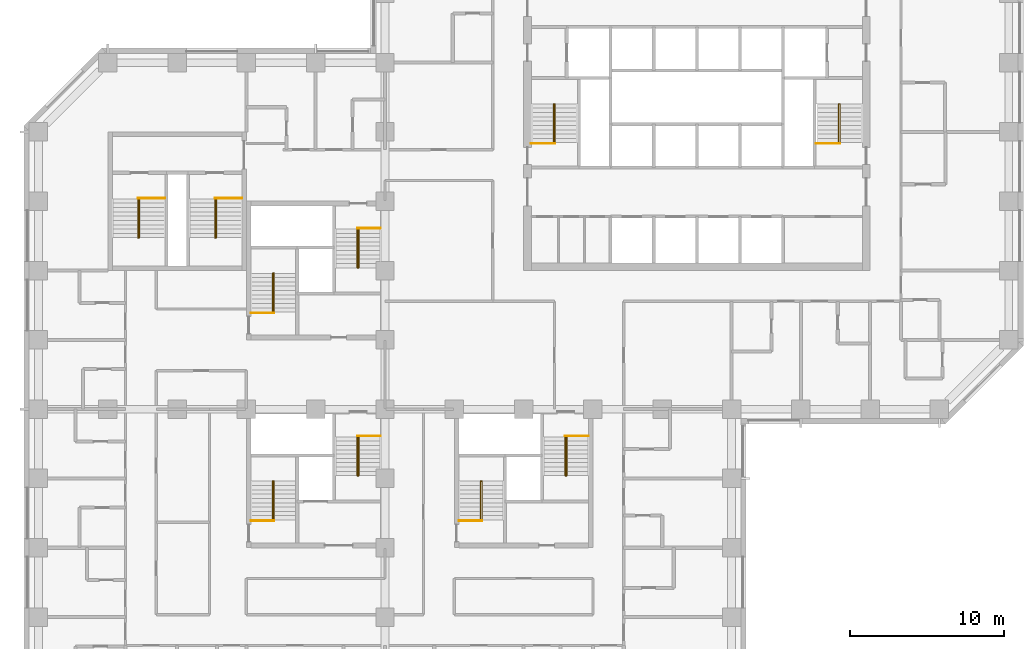
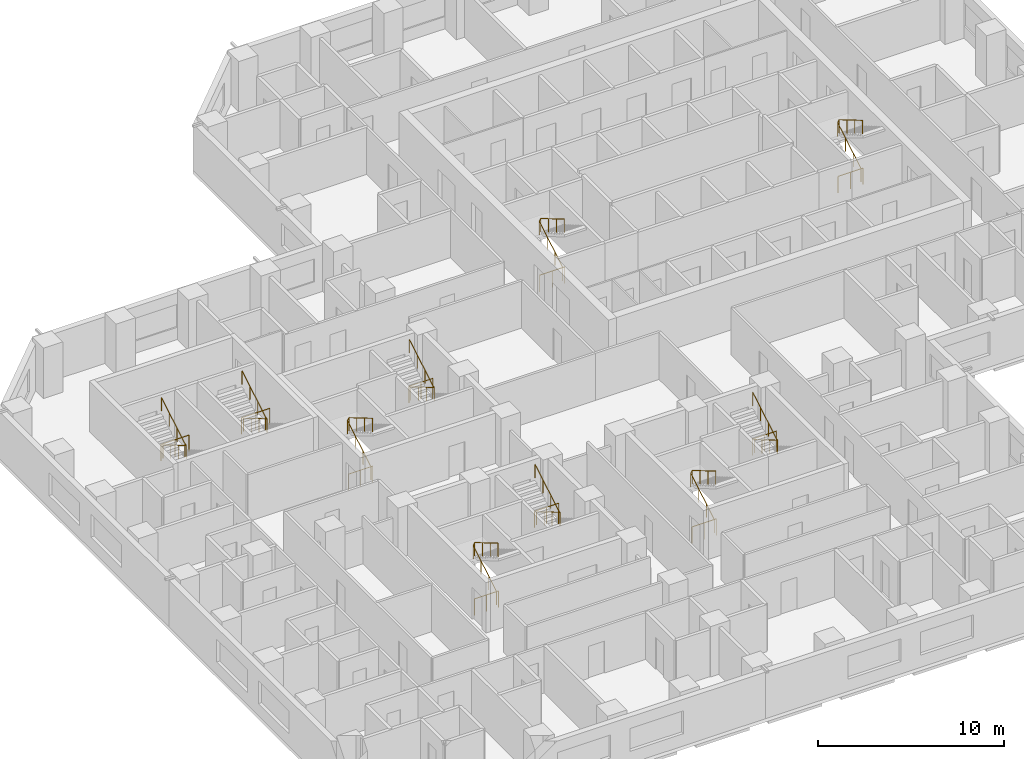
# One storey, part 13 of 13: 20 railings.
"""IFC4 building model written with IfcOpenShell, lengths in metres."""

from ifc_helpers import new_model, si_unit, direction, frame, origin, origin_2d, place, context, subcontext, project, spatial, circle, extrude, material, type_object, element, save


model = new_model("IFC4")

# Units and contexts
model_context = context("Model", 3, precision=1e-05, world=origin(), true_north=direction((0.0, 1.0)))
body_context = subcontext(model_context, "Body", "Model", "MODEL_VIEW")
ifc_project = project(units=[si_unit("LENGTHUNIT", "METRE"), si_unit("AREAUNIT", "SQUARE_METRE"), si_unit("VOLUMEUNIT", "CUBIC_METRE"), si_unit("PLANEANGLEUNIT", "RADIAN"), si_unit("MASSUNIT", "GRAM", prefix="KILO")], contexts=[model_context])

# Site, building, storey
site_placement = place(None, origin())
site = spatial("IfcSite", under=ifc_project, at=site_placement, CompositionType="ELEMENT")
building_placement = place(site_placement, origin())
building = spatial("IfcBuilding", under=site, at=building_placement, Name="Quoin Convention Tower", CompositionType="ELEMENT")
storey_placement = place(building_placement, frame((0.0, 0.0, 36.300048828125)))
storey = spatial("IfcBuildingStorey", under=building, at=storey_placement, Name="L08", CompositionType="ELEMENT", Elevation=36.300048828125)

# Railings
ifc_material = material(Name="Stainless steel", Category="steel")
railing_type_1 = type_object("IfcRailingType", Name="Stair handrail 900", PredefinedType="HANDRAIL", material=ifc_material)
for number, where, name in (
    (1, (46.955078125, 57.800048828125, 0.1650390625), "SD1 handrail 1"),
    (2, (65.455078125, 57.800048828125, 0.1650390625), "SD2 handrail 1"),
    (3, (28.705078125, 46.800048828125, 0.1650390625), "SD3 handrail 1"),
):
    element("IfcRailing", number, at=place(storey_placement, frame(where)), inside=storey, type_object=railing_type_1, Name=name, PredefinedType="HANDRAIL", context=body_context, shape_type="SweptSolid", body=[
        extrude(circle(Radius=0.02392578125, at=origin_2d()), frame((0.0, 0.0, 0.8759765625), z_axis=(0.0, 0.861560626758, 0.507654692109), x_axis=(-1.0, 0.0, 0.0)), (0.0, 0.0, 1.0), 2.925048828125),
        extrude(circle(Radius=0.02392578125, at=origin_2d()), frame((0.0, 2.52001953125, 2.36083984375), z_axis=(0.478123724308, 0.0, 0.878292493566), x_axis=(0.0, 1.0, 0.0)), (0.0, 0.0, 1.0), 0.18798828125),
        extrude(circle(Radius=0.02392578125, at=origin_2d()), frame((0.08984375, 2.52001953125, 2.52587890625), z_axis=(0.0, -0.86152411907, 0.507716645641), x_axis=(1.0, 0.0, 0.0)), (0.0, 0.0, 1.0), 2.925048828125),
        extrude(circle(Radius=0.02099609375, at=origin_2d()), origin(), (0.0, 0.0, 1.0), 0.851806640625),
        extrude(circle(Radius=0.02099609375, at=origin_2d()), frame((0.0, 0.840087890625, 0.494873046875)), (0.0, 0.0, 1.0), 0.851806640625),
        extrude(circle(Radius=0.02099609375, at=origin_2d()), frame((0.0, 1.679931640625, 0.989990234375)), (0.0, 0.0, 1.0), 0.851806640625),
        extrude(circle(Radius=0.02099609375, at=origin_2d()), frame((0.0, 2.52001953125, 1.48486328125)), (0.0, 0.0, 1.0), 0.851806640625),
        extrude(circle(Radius=0.02099609375, at=origin_2d()), frame((0.08984375, 2.52001953125, 1.64990234375)), (0.0, 0.0, 1.0), 0.851806640625),
        extrude(circle(Radius=0.02099609375, at=origin_2d()), frame((0.08984375, 1.679931640625, 2.14501953125)), (0.0, 0.0, 1.0), 0.851806640625),
        extrude(circle(Radius=0.02099609375, at=origin_2d()), frame((0.08984375, 0.840087890625, 2.639892578125)), (0.0, 0.0, 1.0), 0.851806640625),
        extrude(circle(Radius=0.02099609375, at=origin_2d()), frame((0.08984375, 0.0, 3.135009765625)), (0.0, 0.0, 1.0), 0.851806640625),
    ])
railing_1_placement = place(storey_placement, frame((34.294921875, 52.199951171875, 0.1650390625)))
element("IfcRailing", 4, at=railing_1_placement, inside=storey, type_object=railing_type_1, Name="SD4 handrail 1", PredefinedType="HANDRAIL", context=body_context, shape_type="SweptSolid", body=[
    extrude(circle(Radius=0.02392578125, at=origin_2d()), frame((0.0, 0.0, 0.8759765625), z_axis=(0.0, -0.861560626758, 0.507654692109), x_axis=(1.0, 0.0, 0.0)), (0.0, 0.0, 1.0), 2.925048828125),
    extrude(circle(Radius=0.02392578125, at=origin_2d()), frame((0.0, -2.52001953125, 2.36083984375), z_axis=(-0.478123724308, 0.0, 0.878292493566), x_axis=(0.0, -1.0, 0.0)), (0.0, 0.0, 1.0), 0.18798828125),
    extrude(circle(Radius=0.02392578125, at=origin_2d()), frame((-0.08984375, -2.52001953125, 2.52587890625), z_axis=(0.0, 0.86152411907, 0.507716645641), x_axis=(-1.0, 0.0, 0.0)), (0.0, 0.0, 1.0), 2.925048828125),
    extrude(circle(Radius=0.02099609375, at=origin_2d()), origin(), (0.0, 0.0, 1.0), 0.851806640625),
    extrude(circle(Radius=0.02099609375, at=origin_2d()), frame((0.0, -0.840087890625, 0.494873046875)), (0.0, 0.0, 1.0), 0.851806640625),
    extrude(circle(Radius=0.02099609375, at=origin_2d()), frame((0.0, -1.679931640625, 0.989990234375)), (0.0, 0.0, 1.0), 0.851806640625),
    extrude(circle(Radius=0.02099609375, at=origin_2d()), frame((0.0, -2.52001953125, 1.48486328125)), (0.0, 0.0, 1.0), 0.851806640625),
    extrude(circle(Radius=0.02099609375, at=origin_2d()), frame((-0.08984375, -2.52001953125, 1.64990234375)), (0.0, 0.0, 1.0), 0.851806640625),
    extrude(circle(Radius=0.02099609375, at=origin_2d()), frame((-0.08984375, -1.679931640625, 2.14501953125)), (0.0, 0.0, 1.0), 0.851806640625),
    extrude(circle(Radius=0.02099609375, at=origin_2d()), frame((-0.08984375, -0.840087890625, 2.639892578125)), (0.0, 0.0, 1.0), 0.851806640625),
    extrude(circle(Radius=0.02099609375, at=origin_2d()), frame((-0.08984375, 0.0, 3.135009765625)), (0.0, 0.0, 1.0), 0.851806640625),
])
railing_2_placement = place(storey_placement, frame((42.205078125, 33.300048828125, 0.1650390625)))
element("IfcRailing", 5, at=railing_2_placement, inside=storey, type_object=railing_type_1, Name="SD5 handrail 1", PredefinedType="HANDRAIL", context=body_context, shape_type="SweptSolid", body=[
    extrude(circle(Radius=0.02392578125, at=origin_2d()), frame((0.0, 0.0, 0.8759765625), z_axis=(0.0, 0.861560626758, 0.507654692109), x_axis=(-1.0, 0.0, 0.0)), (0.0, 0.0, 1.0), 2.925048828125),
    extrude(circle(Radius=0.02392578125, at=origin_2d()), frame((0.0, 2.52001953125, 2.36083984375), z_axis=(0.478123724308, 0.0, 0.878292493566), x_axis=(0.0, 1.0, 0.0)), (0.0, 0.0, 1.0), 0.18798828125),
    extrude(circle(Radius=0.02392578125, at=origin_2d()), frame((0.08984375, 2.52001953125, 2.52587890625), z_axis=(0.0, -0.86152411907, 0.507716645641), x_axis=(1.0, 0.0, 0.0)), (0.0, 0.0, 1.0), 2.925048828125),
    extrude(circle(Radius=0.02099609375, at=origin_2d()), origin(), (0.0, 0.0, 1.0), 0.851806640625),
    extrude(circle(Radius=0.02099609375, at=origin_2d()), frame((0.0, 0.840087890625, 0.494873046875)), (0.0, 0.0, 1.0), 0.851806640625),
    extrude(circle(Radius=0.02099609375, at=origin_2d()), frame((0.0, 1.679931640625, 0.989990234375)), (0.0, 0.0, 1.0), 0.851806640625),
    extrude(circle(Radius=0.02099609375, at=origin_2d()), frame((0.0, 2.52001953125, 1.48486328125)), (0.0, 0.0, 1.0), 0.851806640625),
    extrude(circle(Radius=0.02099609375, at=origin_2d()), frame((0.08984375, 2.52001953125, 1.64990234375)), (0.0, 0.0, 1.0), 0.851806640625),
    extrude(circle(Radius=0.02099609375, at=origin_2d()), frame((0.08984375, 1.679931640625, 2.14501953125)), (0.0, 0.0, 1.0), 0.851806640625),
    extrude(circle(Radius=0.02099609375, at=origin_2d()), frame((0.08984375, 0.840087890625, 2.639892578125)), (0.0, 0.0, 1.0), 0.851806640625),
    extrude(circle(Radius=0.02099609375, at=origin_2d()), frame((0.08984375, 0.0, 3.135009765625)), (0.0, 0.0, 1.0), 0.851806640625),
])
railing_3_placement = place(storey_placement, frame((47.794921875, 38.699951171875, 0.1650390625)))
element("IfcRailing", 6, at=railing_3_placement, inside=storey, type_object=railing_type_1, Name="SD6 handrail 1", PredefinedType="HANDRAIL", context=body_context, shape_type="SweptSolid", body=[
    extrude(circle(Radius=0.02392578125, at=origin_2d()), frame((0.0, 0.0, 0.8759765625), z_axis=(0.0, -0.861560626758, 0.507654692109), x_axis=(1.0, 0.0, 0.0)), (0.0, 0.0, 1.0), 2.925048828125),
    extrude(circle(Radius=0.02392578125, at=origin_2d()), frame((0.0, -2.52001953125, 2.36083984375), z_axis=(-0.478123724308, 0.0, 0.878292493566), x_axis=(0.0, -1.0, 0.0)), (0.0, 0.0, 1.0), 0.18798828125),
    extrude(circle(Radius=0.02392578125, at=origin_2d()), frame((-0.08984375, -2.52001953125, 2.52587890625), z_axis=(0.0, 0.86152411907, 0.507716645641), x_axis=(-1.0, 0.0, 0.0)), (0.0, 0.0, 1.0), 2.925048828125),
    extrude(circle(Radius=0.02099609375, at=origin_2d()), origin(), (0.0, 0.0, 1.0), 0.851806640625),
    extrude(circle(Radius=0.02099609375, at=origin_2d()), frame((0.0, -0.840087890625, 0.494873046875)), (0.0, 0.0, 1.0), 0.851806640625),
    extrude(circle(Radius=0.02099609375, at=origin_2d()), frame((0.0, -1.679931640625, 0.989990234375)), (0.0, 0.0, 1.0), 0.851806640625),
    extrude(circle(Radius=0.02099609375, at=origin_2d()), frame((0.0, -2.52001953125, 1.48486328125)), (0.0, 0.0, 1.0), 0.851806640625),
    extrude(circle(Radius=0.02099609375, at=origin_2d()), frame((-0.08984375, -2.52001953125, 1.64990234375)), (0.0, 0.0, 1.0), 0.851806640625),
    extrude(circle(Radius=0.02099609375, at=origin_2d()), frame((-0.08984375, -1.679931640625, 2.14501953125)), (0.0, 0.0, 1.0), 0.851806640625),
    extrude(circle(Radius=0.02099609375, at=origin_2d()), frame((-0.08984375, -0.840087890625, 2.639892578125)), (0.0, 0.0, 1.0), 0.851806640625),
    extrude(circle(Radius=0.02099609375, at=origin_2d()), frame((-0.08984375, 0.0, 3.135009765625)), (0.0, 0.0, 1.0), 0.851806640625),
])
railing_4_placement = place(storey_placement, frame((28.705078125, 33.300048828125, 0.1650390625)))
element("IfcRailing", 7, at=railing_4_placement, inside=storey, type_object=railing_type_1, Name="SD7 handrail 1", PredefinedType="HANDRAIL", context=body_context, shape_type="SweptSolid", body=[
    extrude(circle(Radius=0.02392578125, at=origin_2d()), frame((0.0, 0.0, 0.8759765625), z_axis=(0.0, 0.861560626758, 0.507654692109), x_axis=(-1.0, 0.0, 0.0)), (0.0, 0.0, 1.0), 2.925048828125),
    extrude(circle(Radius=0.02392578125, at=origin_2d()), frame((0.0, 2.52001953125, 2.36083984375), z_axis=(0.478123724308, 0.0, 0.878292493566), x_axis=(0.0, 1.0, 0.0)), (0.0, 0.0, 1.0), 0.18798828125),
    extrude(circle(Radius=0.02392578125, at=origin_2d()), frame((0.08984375, 2.52001953125, 2.52587890625), z_axis=(0.0, -0.86152411907, 0.507716645641), x_axis=(1.0, 0.0, 0.0)), (0.0, 0.0, 1.0), 2.925048828125),
    extrude(circle(Radius=0.02099609375, at=origin_2d()), origin(), (0.0, 0.0, 1.0), 0.851806640625),
    extrude(circle(Radius=0.02099609375, at=origin_2d()), frame((0.0, 0.840087890625, 0.494873046875)), (0.0, 0.0, 1.0), 0.851806640625),
    extrude(circle(Radius=0.02099609375, at=origin_2d()), frame((0.0, 1.679931640625, 0.989990234375)), (0.0, 0.0, 1.0), 0.851806640625),
    extrude(circle(Radius=0.02099609375, at=origin_2d()), frame((0.0, 2.52001953125, 1.48486328125)), (0.0, 0.0, 1.0), 0.851806640625),
    extrude(circle(Radius=0.02099609375, at=origin_2d()), frame((0.08984375, 2.52001953125, 1.64990234375)), (0.0, 0.0, 1.0), 0.851806640625),
    extrude(circle(Radius=0.02099609375, at=origin_2d()), frame((0.08984375, 1.679931640625, 2.14501953125)), (0.0, 0.0, 1.0), 0.851806640625),
    extrude(circle(Radius=0.02099609375, at=origin_2d()), frame((0.08984375, 0.840087890625, 2.639892578125)), (0.0, 0.0, 1.0), 0.851806640625),
    extrude(circle(Radius=0.02099609375, at=origin_2d()), frame((0.08984375, 0.0, 3.135009765625)), (0.0, 0.0, 1.0), 0.851806640625),
])
for number, where, name in (
    (8, (34.294921875, 38.699951171875, 0.1650390625), "SD8 handrail 1"),
    (9, (20.044921875, 54.14990234375, 0.1650390625), "SD11 handrail 1"),
    (10, (25.044921875, 54.14990234375, 0.1650390625), "SD12 handrail 1"),
):
    element("IfcRailing", number, at=place(storey_placement, frame(where)), inside=storey, type_object=railing_type_1, Name=name, PredefinedType="HANDRAIL", context=body_context, shape_type="SweptSolid", body=[
        extrude(circle(Radius=0.02392578125, at=origin_2d()), frame((0.0, 0.0, 0.8759765625), z_axis=(0.0, -0.861560626758, 0.507654692109), x_axis=(1.0, 0.0, 0.0)), (0.0, 0.0, 1.0), 2.925048828125),
        extrude(circle(Radius=0.02392578125, at=origin_2d()), frame((0.0, -2.52001953125, 2.36083984375), z_axis=(-0.478123724308, 0.0, 0.878292493566), x_axis=(0.0, -1.0, 0.0)), (0.0, 0.0, 1.0), 0.18798828125),
        extrude(circle(Radius=0.02392578125, at=origin_2d()), frame((-0.08984375, -2.52001953125, 2.52587890625), z_axis=(0.0, 0.86152411907, 0.507716645641), x_axis=(-1.0, 0.0, 0.0)), (0.0, 0.0, 1.0), 2.925048828125),
        extrude(circle(Radius=0.02099609375, at=origin_2d()), origin(), (0.0, 0.0, 1.0), 0.851806640625),
        extrude(circle(Radius=0.02099609375, at=origin_2d()), frame((0.0, -0.840087890625, 0.494873046875)), (0.0, 0.0, 1.0), 0.851806640625),
        extrude(circle(Radius=0.02099609375, at=origin_2d()), frame((0.0, -1.679931640625, 0.989990234375)), (0.0, 0.0, 1.0), 0.851806640625),
        extrude(circle(Radius=0.02099609375, at=origin_2d()), frame((0.0, -2.52001953125, 1.48486328125)), (0.0, 0.0, 1.0), 0.851806640625),
        extrude(circle(Radius=0.02099609375, at=origin_2d()), frame((-0.08984375, -2.52001953125, 1.64990234375)), (0.0, 0.0, 1.0), 0.851806640625),
        extrude(circle(Radius=0.02099609375, at=origin_2d()), frame((-0.08984375, -1.679931640625, 2.14501953125)), (0.0, 0.0, 1.0), 0.851806640625),
        extrude(circle(Radius=0.02099609375, at=origin_2d()), frame((-0.08984375, -0.840087890625, 2.639892578125)), (0.0, 0.0, 1.0), 0.851806640625),
        extrude(circle(Radius=0.02099609375, at=origin_2d()), frame((-0.08984375, 0.0, 3.135009765625)), (0.0, 0.0, 1.0), 0.851806640625),
    ])
railing_type_2 = type_object("IfcRailingType", Name="Stair top guard 1100", PredefinedType="GUARDRAIL", material=ifc_material)
for number, where, name in (
    (11, (45.5, 57.75, 0.0), "SD1 top guard"),
    (12, (64.0, 57.75, 0.0), "SD2 top guard"),
):
    element("IfcRailing", number, at=place(storey_placement, frame(where)), inside=storey, type_object=railing_type_2, Name=name, PredefinedType="GUARDRAIL", context=body_context, shape_type="SweptSolid", body=[
        extrude(circle(Radius=0.02392578125, at=origin_2d()), frame((0.0, 0.0, 1.076171875), z_axis=(1.0, 0.0, 0.0), x_axis=(0.0, 1.0, 0.0)), (0.0, 0.0, 1.0), 1.544921875),
        extrude(circle(Radius=0.02099609375, at=origin_2d()), origin(), (0.0, 0.0, 1.0), 1.052001953125),
        extrude(circle(Radius=0.02099609375, at=origin_2d()), frame((0.7724609375, 0.0, 0.0)), (0.0, 0.0, 1.0), 1.052001953125),
        extrude(circle(Radius=0.02099609375, at=origin_2d()), frame((1.544921875, 0.0, 0.0)), (0.0, 0.0, 1.0), 1.052001953125),
    ])
railing_5_placement = place(storey_placement, frame((27.300048828125, 46.75, 0.0)))
element("IfcRailing", 13, at=railing_5_placement, inside=storey, type_object=railing_type_2, Name="SD3 top guard", PredefinedType="GUARDRAIL", context=body_context, shape_type="SweptSolid", body=[
    extrude(circle(Radius=0.02392578125, at=origin_2d()), frame((0.0, 0.0, 1.076171875), z_axis=(1.0, 0.0, 0.0), x_axis=(0.0, 1.0, 0.0)), (0.0, 0.0, 1.0), 1.494873046875),
    extrude(circle(Radius=0.02099609375, at=origin_2d()), origin(), (0.0, 0.0, 1.0), 1.052001953125),
    extrude(circle(Radius=0.02099609375, at=origin_2d()), frame((0.74755859375, 0.0, 0.0)), (0.0, 0.0, 1.0), 1.052001953125),
    extrude(circle(Radius=0.02099609375, at=origin_2d()), frame((1.494873046875, 0.0, 0.0)), (0.0, 0.0, 1.0), 1.052001953125),
])
railing_6_placement = place(storey_placement, frame((35.699951171875, 52.25, 0.0)))
element("IfcRailing", 14, at=railing_6_placement, inside=storey, type_object=railing_type_2, Name="SD4 top guard", PredefinedType="GUARDRAIL", context=body_context, shape_type="SweptSolid", body=[
    extrude(circle(Radius=0.02392578125, at=origin_2d()), frame((0.0, 0.0, 1.076171875), z_axis=(-1.0, 0.0, 0.0), x_axis=(0.0, -1.0, 0.0)), (0.0, 0.0, 1.0), 1.494873046875),
    extrude(circle(Radius=0.02099609375, at=origin_2d()), origin(), (0.0, 0.0, 1.0), 1.052001953125),
    extrude(circle(Radius=0.02099609375, at=origin_2d()), frame((-0.74755859375, 0.0, 0.0)), (0.0, 0.0, 1.0), 1.052001953125),
    extrude(circle(Radius=0.02099609375, at=origin_2d()), frame((-1.494873046875, 0.0, 0.0)), (0.0, 0.0, 1.0), 1.052001953125),
])
railing_7_placement = place(storey_placement, frame((40.800048828125, 33.25, 0.0)))
element("IfcRailing", 15, at=railing_7_placement, inside=storey, type_object=railing_type_2, Name="SD5 top guard", PredefinedType="GUARDRAIL", context=body_context, shape_type="SweptSolid", body=[
    extrude(circle(Radius=0.02392578125, at=origin_2d()), frame((0.0, 0.0, 1.076171875), z_axis=(1.0, 0.0, 0.0), x_axis=(0.0, 1.0, 0.0)), (0.0, 0.0, 1.0), 1.494873046875),
    extrude(circle(Radius=0.02099609375, at=origin_2d()), origin(), (0.0, 0.0, 1.0), 1.052001953125),
    extrude(circle(Radius=0.02099609375, at=origin_2d()), frame((0.74755859375, 0.0, 0.0)), (0.0, 0.0, 1.0), 1.052001953125),
    extrude(circle(Radius=0.02099609375, at=origin_2d()), frame((1.494873046875, 0.0, 0.0)), (0.0, 0.0, 1.0), 1.052001953125),
])
railing_8_placement = place(storey_placement, frame((49.199951171875, 38.75, 0.0)))
element("IfcRailing", 16, at=railing_8_placement, inside=storey, type_object=railing_type_2, Name="SD6 top guard", PredefinedType="GUARDRAIL", context=body_context, shape_type="SweptSolid", body=[
    extrude(circle(Radius=0.02392578125, at=origin_2d()), frame((0.0, 0.0, 1.076171875), z_axis=(-1.0, 0.0, 0.0), x_axis=(0.0, -1.0, 0.0)), (0.0, 0.0, 1.0), 1.494873046875),
    extrude(circle(Radius=0.02099609375, at=origin_2d()), origin(), (0.0, 0.0, 1.0), 1.052001953125),
    extrude(circle(Radius=0.02099609375, at=origin_2d()), frame((-0.74755859375, 0.0, 0.0)), (0.0, 0.0, 1.0), 1.052001953125),
    extrude(circle(Radius=0.02099609375, at=origin_2d()), frame((-1.494873046875, 0.0, 0.0)), (0.0, 0.0, 1.0), 1.052001953125),
])
railing_9_placement = place(storey_placement, frame((27.300048828125, 33.25, 0.0)))
element("IfcRailing", 17, at=railing_9_placement, inside=storey, type_object=railing_type_2, Name="SD7 top guard", PredefinedType="GUARDRAIL", context=body_context, shape_type="SweptSolid", body=[
    extrude(circle(Radius=0.02392578125, at=origin_2d()), frame((0.0, 0.0, 1.076171875), z_axis=(1.0, 0.0, 0.0), x_axis=(0.0, 1.0, 0.0)), (0.0, 0.0, 1.0), 1.494873046875),
    extrude(circle(Radius=0.02099609375, at=origin_2d()), origin(), (0.0, 0.0, 1.0), 1.052001953125),
    extrude(circle(Radius=0.02099609375, at=origin_2d()), frame((0.74755859375, 0.0, 0.0)), (0.0, 0.0, 1.0), 1.052001953125),
    extrude(circle(Radius=0.02099609375, at=origin_2d()), frame((1.494873046875, 0.0, 0.0)), (0.0, 0.0, 1.0), 1.052001953125),
])
railing_10_placement = place(storey_placement, frame((35.699951171875, 38.75, 0.0)))
element("IfcRailing", 18, at=railing_10_placement, inside=storey, type_object=railing_type_2, Name="SD8 top guard", PredefinedType="GUARDRAIL", context=body_context, shape_type="SweptSolid", body=[
    extrude(circle(Radius=0.02392578125, at=origin_2d()), frame((0.0, 0.0, 1.076171875), z_axis=(-1.0, 0.0, 0.0), x_axis=(0.0, -1.0, 0.0)), (0.0, 0.0, 1.0), 1.494873046875),
    extrude(circle(Radius=0.02099609375, at=origin_2d()), origin(), (0.0, 0.0, 1.0), 1.052001953125),
    extrude(circle(Radius=0.02099609375, at=origin_2d()), frame((-0.74755859375, 0.0, 0.0)), (0.0, 0.0, 1.0), 1.052001953125),
    extrude(circle(Radius=0.02099609375, at=origin_2d()), frame((-1.494873046875, 0.0, 0.0)), (0.0, 0.0, 1.0), 1.052001953125),
])
for number, where, name in (
    (19, (21.699951171875, 54.199951171875, 0.0), "SD11 top guard"),
    (20, (26.699951171875, 54.199951171875, 0.0), "SD12 top guard"),
):
    element("IfcRailing", number, at=place(storey_placement, frame(where)), inside=storey, type_object=railing_type_2, Name=name, PredefinedType="GUARDRAIL", context=body_context, shape_type="SweptSolid", body=[
        extrude(circle(Radius=0.02392578125, at=origin_2d()), frame((0.0, 0.0, 1.076171875), z_axis=(-1.0, 0.0, 0.0), x_axis=(0.0, -1.0, 0.0)), (0.0, 0.0, 1.0), 1.744873046875),
        extrude(circle(Radius=0.02099609375, at=origin_2d()), origin(), (0.0, 0.0, 1.0), 1.052001953125),
        extrude(circle(Radius=0.02099609375, at=origin_2d()), frame((-0.87255859375, 0.0, 0.0)), (0.0, 0.0, 1.0), 1.052001953125),
        extrude(circle(Radius=0.02099609375, at=origin_2d()), frame((-1.744873046875, 0.0, 0.0)), (0.0, 0.0, 1.0), 1.052001953125),
    ])

save(model, "model.ifc")
